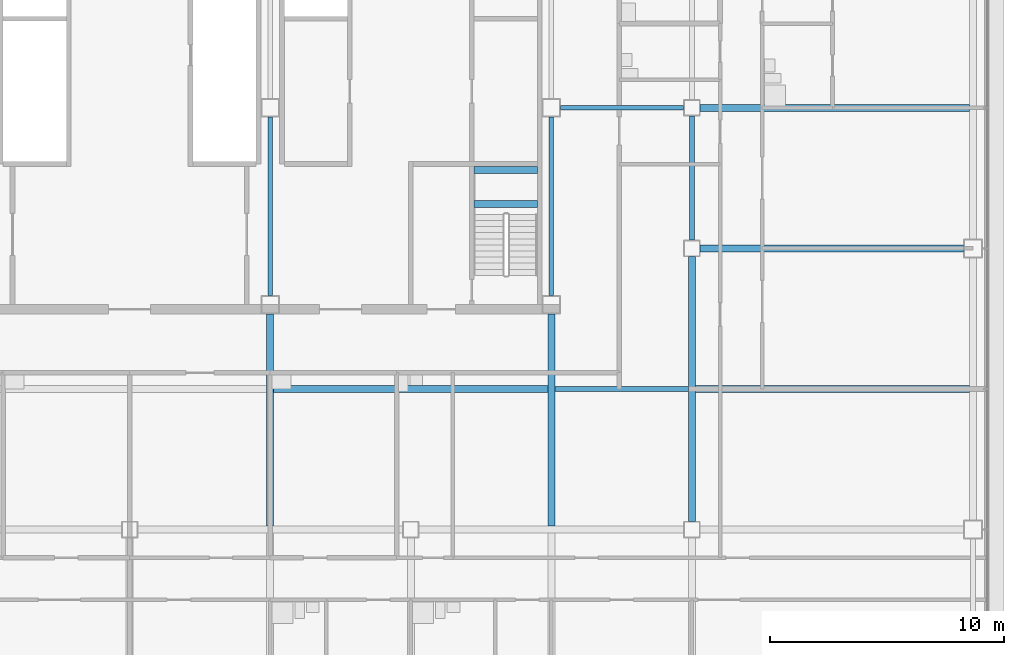
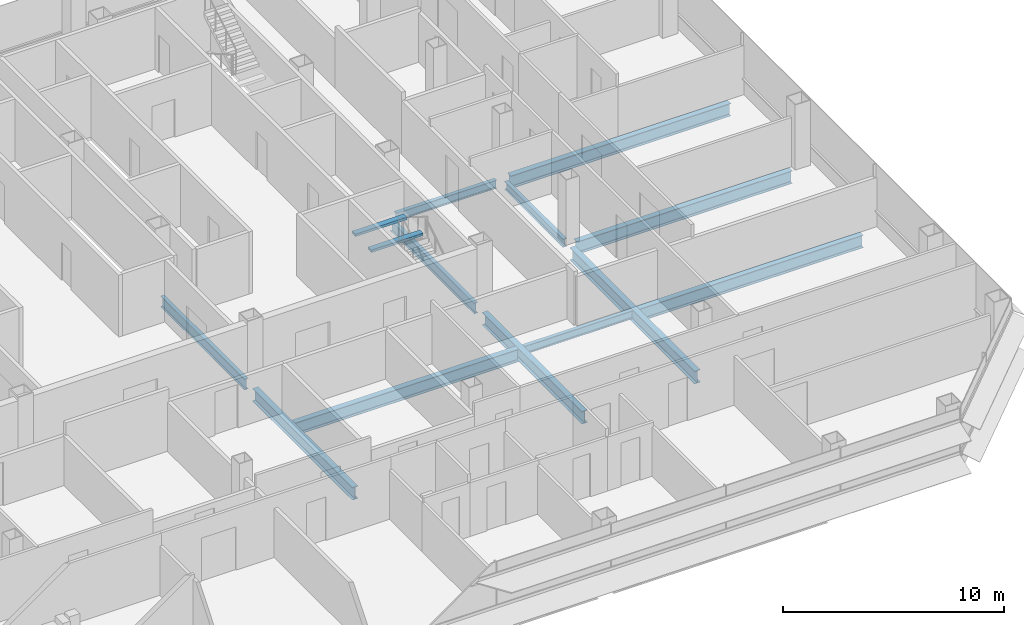
# One storey, part 10 of 25: 14 beams.
"""IFC4 building model written with IfcOpenShell, lengths in metres."""

from ifc_helpers import new_model, si_unit, direction, frame, origin, origin_2d, place, context, subcontext, project, spatial, rectangle, i_section, extrude, material, material_profile, profile_set, type_object, element, save


model = new_model("IFC4")

# Units and contexts
model_context = context("Model", 3, precision=1e-05, world=origin(), true_north=direction((0.0, 1.0)))
body_context = subcontext(model_context, "Body", "Model", "MODEL_VIEW")
ifc_project = project(units=[si_unit("LENGTHUNIT", "METRE"), si_unit("AREAUNIT", "SQUARE_METRE"), si_unit("VOLUMEUNIT", "CUBIC_METRE"), si_unit("PLANEANGLEUNIT", "RADIAN"), si_unit("MASSUNIT", "GRAM", prefix="KILO")], contexts=[model_context])

# Site, building, storey
site_placement = place(None, origin())
site = spatial("IfcSite", under=ifc_project, at=site_placement, CompositionType="ELEMENT")
building_placement = place(site_placement, origin())
building = spatial("IfcBuilding", under=site, at=building_placement, Name="Sorahane Residences", CompositionType="ELEMENT")
storey_placement = place(building_placement, frame((0.0, 0.0, 123.199951171875)))
storey = spatial("IfcBuildingStorey", under=building, at=storey_placement, Name="L27", CompositionType="ELEMENT", Elevation=123.199951171875)

# Beams
ifc_material_1 = material(Name="Concrete C40", Category="concrete")
ifc_material_profile_1 = material_profile(ifc_material_1, rectangle(XDim=0.300048828125, YDim=0.139892578125, at=origin_2d()), Name="300x140")
ifc_profile_set_1 = profile_set([ifc_material_profile_1], Name="Concrete C40")
beam_type_1 = type_object("IfcBeamType", Name="RC landing beam 300 x 140 Concrete C40", PredefinedType="BEAM", material=ifc_profile_set_1)
for number, where, z_axis, x_axis, name in (
    (1, (38.699951171875, 25.89990234375, 1.530029296875), (1.0, 0.0, 0.0), (0.0, 1.0, 0.0), "Landing beam"),
    (2, (38.699951171875, 27.35009765625, 1.530029296875), (1.0, 0.0, 0.0), (0.0, 1.0, 0.0), "Landing beam"),
):
    element("IfcBeam", number, at=place(storey_placement, frame(where, z_axis=z_axis, x_axis=x_axis)), inside=storey, type_object=beam_type_1, Name=name, PredefinedType="BEAM", context=body_context, shape_type="SweptSolid", body=[
        extrude(rectangle(XDim=0.300048828125, YDim=0.139892578125, at=origin_2d()), origin(), (0.0, 0.0, 1.0), 2.699951171875),
    ])
ifc_material_2 = material(Name="Steel Q355B", Category="steel")
ifc_material_profile_2 = material_profile(ifc_material_2, i_section(OverallWidth=0.199951171875, OverallDepth=0.449951171875, WebThickness=0.009033203125, FlangeThickness=0.013916015625, FilletRadius=0.02001953125, at=origin_2d()), Name="HN 450x200x9x14")
ifc_profile_set_2 = profile_set([ifc_material_profile_2], Name="Steel Q355B")
beam_type_2 = type_object("IfcBeamType", Name="Steel floor beam HN 450x200x9x14 Q355B", PredefinedType="BEAM", material=ifc_profile_set_2)
beam_1_placement = place(storey_placement, frame((48.0, 24.35009765625, -0.405029296875), z_axis=(0.0, 1.0, 0.0), x_axis=(-1.0, 0.0, 0.0)))
element("IfcBeam", 3, at=beam_1_placement, inside=storey, type_object=beam_type_2, Name="Beam L27 060", PredefinedType="BEAM", context=body_context, shape_type="SweptSolid", body=[
    extrude(i_section(OverallWidth=0.199951171875, OverallDepth=0.449951171875, WebThickness=0.009033203125, FlangeThickness=0.013916015625, FilletRadius=0.02001953125, at=origin_2d()), origin(), (0.0, 0.0, 1.0), 5.2998046875),
])
beam_2_placement = place(storey_placement, frame((42.14990234375, 18.0, -0.405029296875), z_axis=(1.0, 0.0, 0.0), x_axis=(0.0, 1.0, 0.0)))
element("IfcBeam", 4, at=beam_2_placement, inside=storey, type_object=beam_type_2, Name="Beam L27 083", PredefinedType="BEAM", context=body_context, shape_type="SweptSolid", body=[
    extrude(i_section(OverallWidth=0.199951171875, OverallDepth=0.449951171875, WebThickness=0.009033203125, FlangeThickness=0.013916015625, FilletRadius=0.02001953125, at=origin_2d()), origin(), (0.0, 0.0, 1.0), 5.7001953125),
])
beam_3_placement = place(storey_placement, frame((42.39990234375, 30.0, -0.405029296875), z_axis=(1.0, 0.0, 0.0), x_axis=(0.0, 1.0, 0.0)))
element("IfcBeam", 5, at=beam_3_placement, inside=storey, type_object=beam_type_2, Name="Beam L27 087", PredefinedType="BEAM", context=body_context, shape_type="SweptSolid", body=[
    extrude(i_section(OverallWidth=0.199951171875, OverallDepth=0.449951171875, WebThickness=0.009033203125, FlangeThickness=0.013916015625, FilletRadius=0.02001953125, at=origin_2d()), origin(), (0.0, 0.0, 1.0), 5.25),
])
ifc_material_3 = material(Name="Steel Q355B", Category="steel")
ifc_material_profile_3 = material_profile(ifc_material_3, i_section(OverallWidth=0.199951171875, OverallDepth=0.60009765625, WebThickness=0.010986328125, FlangeThickness=0.01708984375, FilletRadius=0.02392578125, at=origin_2d()), Name="HN 600x200x11x17")
ifc_profile_set_3 = profile_set([ifc_material_profile_3], Name="Steel Q355B")
beam_type_3 = type_object("IfcBeamType", Name="Steel floor beam HN 600x200x11x17 Q355B", PredefinedType="BEAM", material=ifc_profile_set_3)
for number, where, z_axis, x_axis, name in (
    (6, (30.0, 22.0, -0.47998046875), (0.0, 1.0, 0.0), (-1.0, 0.0, 0.0), "Beam L27 046"),
    (7, (42.0, 22.0, -0.47998046875), (0.0, 1.0, 0.0), (-1.0, 0.0, 0.0), "Beam L27 054"),
):
    element("IfcBeam", number, at=place(storey_placement, frame(where, z_axis=z_axis, x_axis=x_axis)), inside=storey, type_object=beam_type_3, Name=name, PredefinedType="BEAM", context=body_context, shape_type="SweptSolid", body=[
        extrude(i_section(OverallWidth=0.199951171875, OverallDepth=0.60009765625, WebThickness=0.010986328125, FlangeThickness=0.01708984375, FilletRadius=0.02392578125, at=origin_2d()), origin(), (0.0, 0.0, 1.0), 7.60009765625),
    ])
ifc_material_4 = material(Name="Steel Q355B", Category="steel")
ifc_material_profile_4 = material_profile(ifc_material_4, i_section(OverallWidth=0.300048828125, OverallDepth=0.699951171875, WebThickness=0.012939453125, FlangeThickness=0.02392578125, FilletRadius=0.028076171875, at=origin_2d()), Name="HN 700x300x13x24")
ifc_profile_set_4 = profile_set([ifc_material_profile_4], Name="Steel Q355B")
beam_type_4 = type_object("IfcBeamType", Name="Steel floor beam HN 700x300x13x24 Q355B", PredefinedType="BEAM", material=ifc_profile_set_4)
beam_4_placement = place(storey_placement, frame((48.35009765625, 24.0, -0.530029296875), z_axis=(1.0, 0.0, 0.0), x_axis=(0.0, 1.0, 0.0)))
element("IfcBeam", 8, at=beam_4_placement, inside=storey, type_object=beam_type_4, Name="Beam L27 012", PredefinedType="BEAM", context=body_context, shape_type="SweptSolid", body=[
    extrude(i_section(OverallWidth=0.300048828125, OverallDepth=0.699951171875, WebThickness=0.012939453125, FlangeThickness=0.02392578125, FilletRadius=0.028076171875, at=origin_2d()), origin(), (0.0, 0.0, 1.0), 11.25),
])
for number, where, z_axis, x_axis, name in (
    (9, (30.0, 12.14990234375, -0.530029296875), (0.0, 1.0, 0.0), (-1.0, 0.0, 0.0), "Beam L27 045"),
    (10, (42.0, 12.14990234375, -0.530029296875), (0.0, 1.0, 0.0), (-1.0, 0.0, 0.0), "Beam L27 053"),
):
    element("IfcBeam", number, at=place(storey_placement, frame(where, z_axis=z_axis, x_axis=x_axis)), inside=storey, type_object=beam_type_4, Name=name, PredefinedType="BEAM", context=body_context, shape_type="SweptSolid", body=[
        extrude(i_section(OverallWidth=0.300048828125, OverallDepth=0.699951171875, WebThickness=0.012939453125, FlangeThickness=0.02392578125, FilletRadius=0.028076171875, at=origin_2d()), origin(), (0.0, 0.0, 1.0), 9.050048828125),
    ])
beam_5_placement = place(storey_placement, frame((48.0, 12.35009765625, -0.530029296875), z_axis=(0.0, 1.0, 0.0), x_axis=(-1.0, 0.0, 0.0)))
element("IfcBeam", 11, at=beam_5_placement, inside=storey, type_object=beam_type_4, Name="Beam L27 059", PredefinedType="BEAM", context=body_context, shape_type="SweptSolid", body=[
    extrude(i_section(OverallWidth=0.300048828125, OverallDepth=0.699951171875, WebThickness=0.012939453125, FlangeThickness=0.02392578125, FilletRadius=0.028076171875, at=origin_2d()), origin(), (0.0, 0.0, 1.0), 11.2998046875),
])
for number, where, z_axis, x_axis, name in (
    (12, (30.14990234375, 18.0, -0.530029296875), (1.0, 0.0, 0.0), (0.0, 1.0, 0.0), "Beam L27 082"),
    (13, (48.14990234375, 18.0, -0.530029296875), (1.0, 0.0, 0.0), (0.0, 1.0, 0.0), "Beam L27 084"),
):
    element("IfcBeam", number, at=place(storey_placement, frame(where, z_axis=z_axis, x_axis=x_axis)), inside=storey, type_object=beam_type_4, Name=name, PredefinedType="BEAM", context=body_context, shape_type="SweptSolid", body=[
        extrude(i_section(OverallWidth=0.300048828125, OverallDepth=0.699951171875, WebThickness=0.012939453125, FlangeThickness=0.02392578125, FilletRadius=0.028076171875, at=origin_2d()), origin(), (0.0, 0.0, 1.0), 11.7001953125),
    ])
beam_6_placement = place(storey_placement, frame((48.35009765625, 30.0, -0.530029296875), z_axis=(1.0, 0.0, 0.0), x_axis=(0.0, 1.0, 0.0)))
element("IfcBeam", 14, at=beam_6_placement, inside=storey, type_object=beam_type_4, Name="Beam L27 088", PredefinedType="BEAM", context=body_context, shape_type="SweptSolid", body=[
    extrude(i_section(OverallWidth=0.300048828125, OverallDepth=0.699951171875, WebThickness=0.012939453125, FlangeThickness=0.02392578125, FilletRadius=0.028076171875, at=origin_2d()), origin(), (0.0, 0.0, 1.0), 11.5),
])

save(model, "model.ifc")
